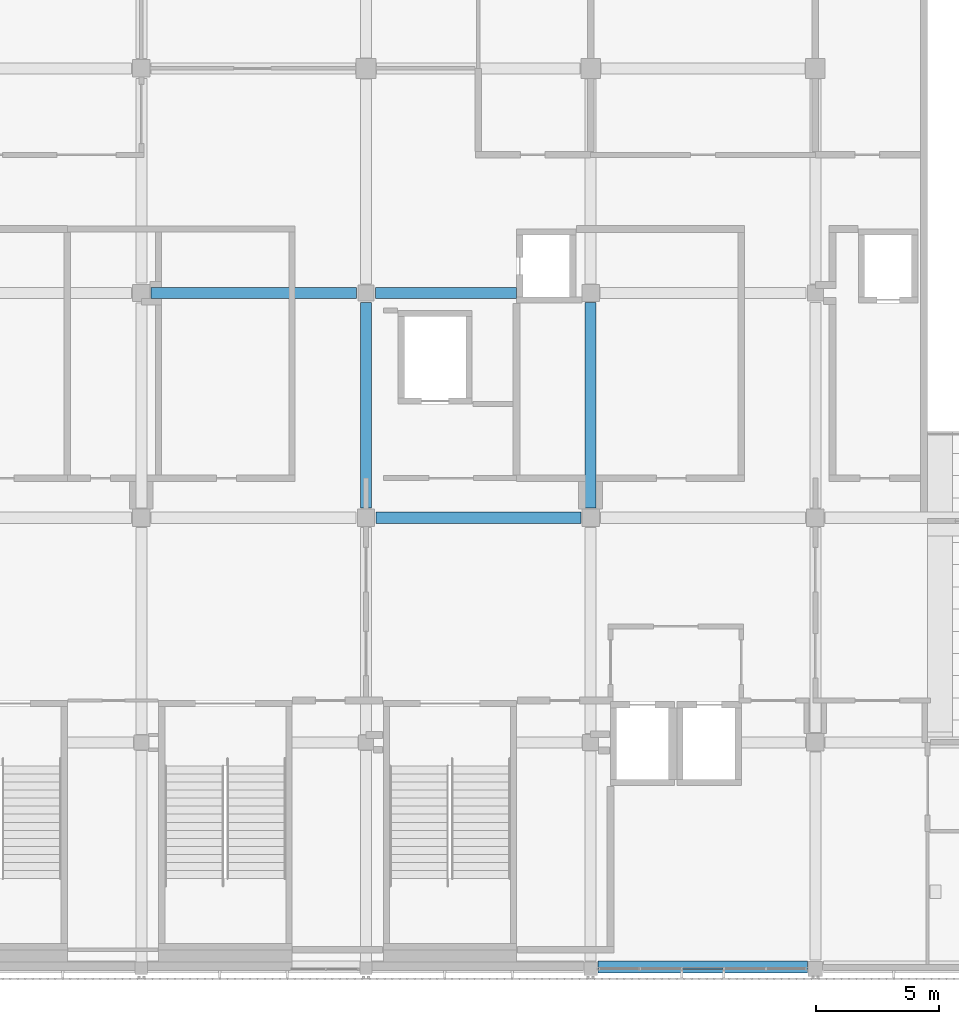
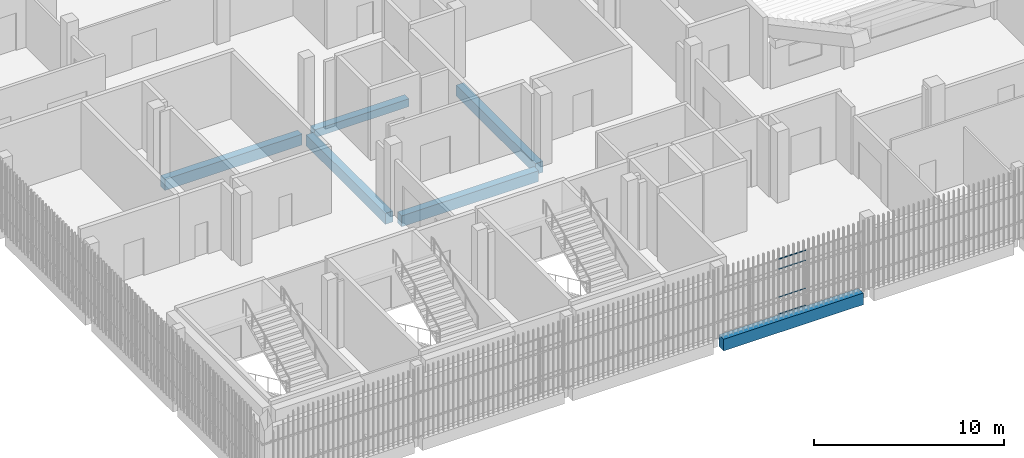
# One storey, part 8 of 139: 6 beams, 4 members, 1 element without a shape of its own.
"""IFC4 building model written with IfcOpenShell, lengths in metres."""

from ifc_helpers import new_model, si_unit, direction, frame, origin, origin_2d, place, context, subcontext, project, spatial, rectangle, hollow_rectangle, extrude, material, layer, layer_set, material_profile, profile_set, type_object, element, aggregate, save


model = new_model("IFC4")

# Units and contexts
model_context = context("Model", 3, precision=1e-05, world=origin(), true_north=direction((0.0, 1.0)))
body_context = subcontext(model_context, "Body", "Model", "MODEL_VIEW")
ifc_project = project(units=[si_unit("LENGTHUNIT", "METRE"), si_unit("AREAUNIT", "SQUARE_METRE"), si_unit("VOLUMEUNIT", "CUBIC_METRE"), si_unit("PLANEANGLEUNIT", "RADIAN"), si_unit("MASSUNIT", "GRAM", prefix="KILO")], contexts=[model_context])

# Site, building, storey
site_placement = place(None, origin())
site = spatial("IfcSite", under=ifc_project, at=site_placement, CompositionType="ELEMENT")
building_placement = place(site_placement, origin())
building = spatial("IfcBuilding", under=site, at=building_placement, Name="Shirokan Park Arena", CompositionType="ELEMENT")
storey_placement = place(building_placement, frame((0.0, 0.0, 15.469970703125)))
storey = spatial("IfcBuildingStorey", under=building, at=storey_placement, Name="L03", CompositionType="ELEMENT", Elevation=15.469970703125)

# Beams
ifc_material_1 = material(Name="Concrete C35", Category="concrete")
ifc_material_profile_1 = material_profile(ifc_material_1, rectangle(XDim=0.449951171875, YDim=0.5, at=origin_2d()), Name="450x500")
ifc_profile_set_1 = profile_set([ifc_material_profile_1], Name="Concrete C35")
beam_type_1 = type_object("IfcBeamType", Name="RC girder 450x500", PredefinedType="BEAM", material=ifc_profile_set_1)
beam_1_placement = place(storey_placement, frame((18.5751953125, 27.300048828125, -0.550048828125), z_axis=(1.0, 0.0, 0.0), x_axis=(0.0, 1.0, 0.0)))
element("IfcBeam", 1, at=beam_1_placement, inside=storey, type_object=beam_type_1, Name="Girder 3D-4D L03", PredefinedType="BEAM", context=body_context, shape_type="SweptSolid", body=[
    extrude(rectangle(XDim=0.449951171875, YDim=0.5, at=origin_2d()), origin(), (0.0, 0.0, 1.0), 5.724853515625),
])
ifc_material_profile_2 = material_profile(ifc_material_1, rectangle(XDim=0.449951171875, YDim=0.699951171875, at=origin_2d()), Name="450x700")
ifc_profile_set_2 = profile_set([ifc_material_profile_2], Name="Concrete C35")
beam_type_2 = type_object("IfcBeamType", Name="RC girder 450x700", PredefinedType="BEAM", material=ifc_profile_set_2)
beam_2_placement = place(storey_placement, frame((9.5, 27.300048828125, -0.64990234375), z_axis=(1.0, 0.0, 0.0), x_axis=(0.0, 1.0, 0.0)))
element("IfcBeam", 2, at=beam_2_placement, inside=storey, type_object=beam_type_2, Name="Girder 2D-3D L03", PredefinedType="BEAM", context=body_context, shape_type="SweptSolid", body=[
    extrude(rectangle(XDim=0.449951171875, YDim=0.699951171875, at=origin_2d()), origin(), (0.0, 0.0, 1.0), 8.324951171875),
])
beam_3_placement = place(storey_placement, frame((18.60009765625, 18.199951171875, -0.64990234375), z_axis=(1.0, 0.0, 0.0), x_axis=(0.0, 1.0, 0.0)))
element("IfcBeam", 3, at=beam_3_placement, inside=storey, type_object=beam_type_2, Name="Girder 3C-4C L03", PredefinedType="BEAM", context=body_context, shape_type="SweptSolid", body=[
    extrude(rectangle(XDim=0.449951171875, YDim=0.699951171875, at=origin_2d()), origin(), (0.0, 0.0, 1.0), 8.2998046875),
])
for number, where, z_axis, x_axis, name in (
    (4, (18.199951171875, 18.60009765625, -0.64990234375), (0.0, 1.0, 0.0), (-1.0, 0.0, 0.0), "Girder 3C-3D L03"),
    (5, (27.300048828125, 18.60009765625, -0.64990234375), (0.0, 1.0, 0.0), (-1.0, 0.0, 0.0), "Girder 4C-4D L03"),
):
    element("IfcBeam", number, at=place(storey_placement, frame(where, z_axis=z_axis, x_axis=x_axis)), inside=storey, type_object=beam_type_2, Name=name, PredefinedType="BEAM", context=body_context, shape_type="SweptSolid", body=[
        extrude(rectangle(XDim=0.449951171875, YDim=0.699951171875, at=origin_2d()), origin(), (0.0, 0.0, 1.0), 8.32470703125),
    ])
ifc_material_profile_3 = material_profile(ifc_material_1, rectangle(XDim=0.5, YDim=0.75, at=origin_2d()), Name="500x750")
ifc_profile_set_3 = profile_set([ifc_material_profile_3], Name="Concrete C35")
beam_type_3 = type_object("IfcBeamType", Name="RC girder 500x750", PredefinedType="BEAM", material=ifc_profile_set_3)
beam_4_placement = place(storey_placement, frame((27.60009765625, 0.0, -0.675048828125), z_axis=(1.0, 0.0, 0.0), x_axis=(0.0, 1.0, 0.0)))
element("IfcBeam", 6, at=beam_4_placement, inside=storey, type_object=beam_type_3, Name="Girder 4A-5A L03", PredefinedType="BEAM", context=body_context, shape_type="SweptSolid", body=[
    extrude(rectangle(XDim=0.5, YDim=0.75, at=origin_2d()), origin(), (0.0, 0.0, 1.0), 8.474853515625),
])

# Curtain wall, members
ifc_material_2 = material(Name="Steel and glass curtain wall", Category="steel")
ifc_layer = layer(ifc_material_2, 0.14990234375)
ifc_layer_set = layer_set([ifc_layer], Name="Steel and glass curtain wall 150 mm")
curtain_wall_type = type_object("IfcCurtainWallType", Name="Curtain wall exposed bay 150", PredefinedType="NOTDEFINED", material=ifc_layer_set)
curtain_wall_placement = place(storey_placement, origin())
curtain_wall = element("IfcCurtainWall", 7, at=curtain_wall_placement, inside=storey, type_object=curtain_wall_type, Name="Curtain wall south bay 4 L03", PredefinedType="NOTDEFINED")
ifc_material_3 = material(Name="Steel S355", Category="steel")
ifc_material_profile_4 = material_profile(ifc_material_3, hollow_rectangle(XDim=0.06005859375, YDim=0.0400390625, WallThickness=0.00390625, at=origin_2d()), Name="RHS 60x40x4")
ifc_profile_set_4 = profile_set([ifc_material_profile_4], Name="Steel S355")
member_type = type_object("IfcMemberType", Name="Transom RHS 60x40x4", PredefinedType="MULLION", material=ifc_profile_set_4)
member_1_placement = place(storey_placement, frame((31.010009765625, -0.074951171875, 0.02001953125), z_axis=(1.0, 0.0, 0.0), x_axis=(0.0, 1.0, 0.0)))
member_1 = element("IfcMember", 8, at=member_1_placement, type_object=member_type, Name="CW1 transom 3.1", PredefinedType="MULLION", context=body_context, shape_type="SweptSolid", body=[
    extrude(hollow_rectangle(XDim=0.06005859375, YDim=0.0400390625, WallThickness=0.00390625, at=origin_2d()), origin(), (0.0, 0.0, 1.0), 1.655029296875),
])
member_2_placement = place(storey_placement, frame((31.010009765625, -0.074951171875, 1.10009765625), z_axis=(1.0, 0.0, 0.0), x_axis=(0.0, 1.0, 0.0)))
member_2 = element("IfcMember", 9, at=member_2_placement, type_object=member_type, Name="CW1 transom 3.2", PredefinedType="MULLION", context=body_context, shape_type="SweptSolid", body=[
    extrude(hollow_rectangle(XDim=0.06005859375, YDim=0.0400390625, WallThickness=0.00390625, at=origin_2d()), origin(), (0.0, 0.0, 1.0), 1.655029296875),
])
member_3_placement = place(storey_placement, frame((31.010009765625, -0.074951171875, 2.900146484375), z_axis=(1.0, 0.0, 0.0), x_axis=(0.0, 1.0, 0.0)))
member_3 = element("IfcMember", 10, at=member_3_placement, type_object=member_type, Name="CW1 transom 3.3", PredefinedType="MULLION", context=body_context, shape_type="SweptSolid", body=[
    extrude(hollow_rectangle(XDim=0.06005859375, YDim=0.0400390625, WallThickness=0.00390625, at=origin_2d()), origin(), (0.0, 0.0, 1.0), 1.655029296875),
])
member_4_placement = place(storey_placement, frame((31.010009765625, -0.074951171875, 3.530029296875), z_axis=(1.0, 0.0, 0.0), x_axis=(0.0, 1.0, 0.0)))
member_4 = element("IfcMember", 11, at=member_4_placement, type_object=member_type, Name="CW1 transom 3.4", PredefinedType="MULLION", context=body_context, shape_type="SweptSolid", body=[
    extrude(hollow_rectangle(XDim=0.06005859375, YDim=0.0400390625, WallThickness=0.00390625, at=origin_2d()), origin(), (0.0, 0.0, 1.0), 1.655029296875),
])
aggregate(curtain_wall, [member_1, member_2, member_3, member_4])

save(model, "model.ifc")
